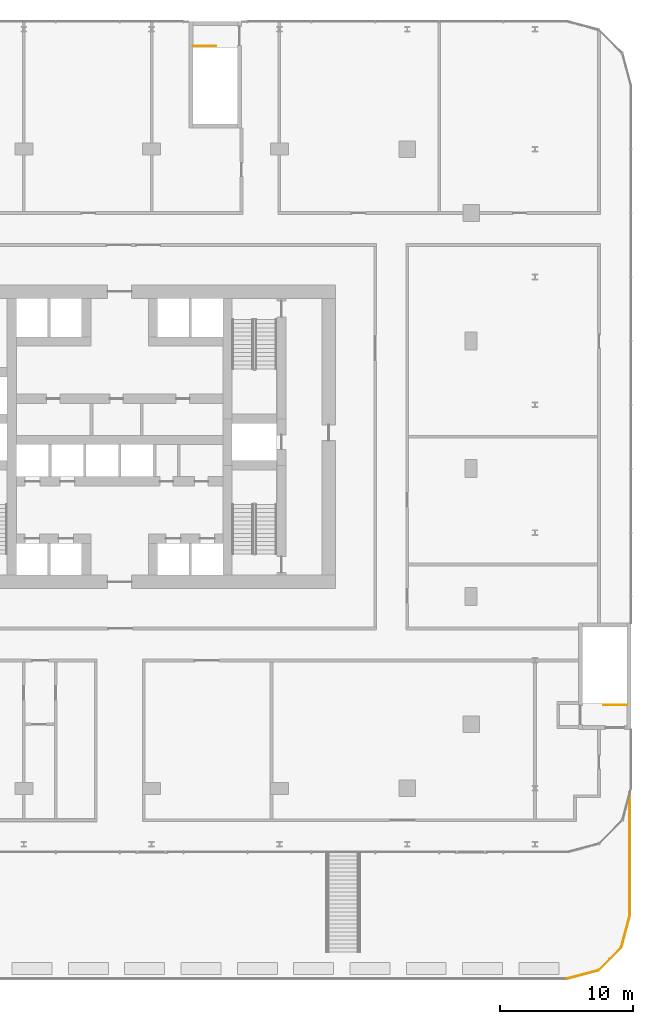
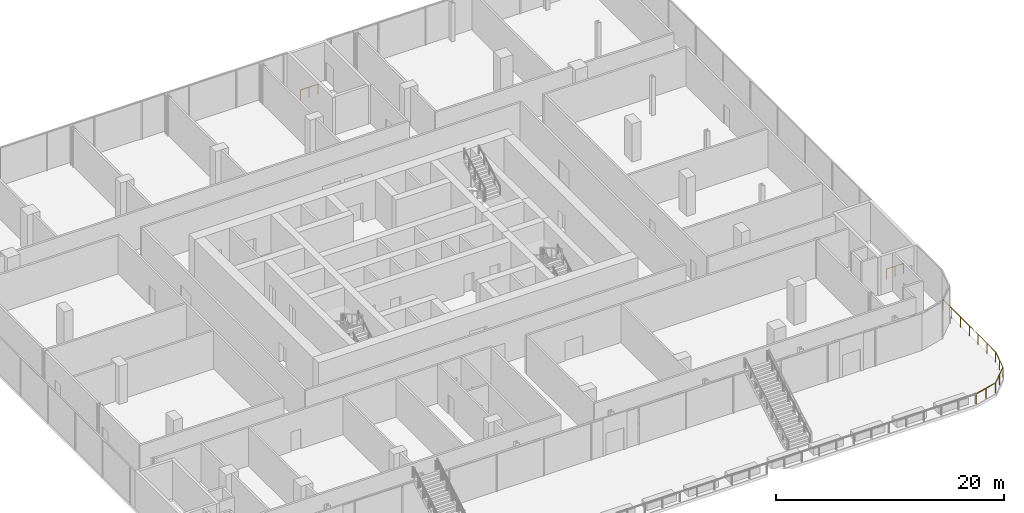
# One storey, part 31 of 32: 3 railings.
"""IFC4 building model written with IfcOpenShell, lengths in metres."""

from ifc_helpers import new_model, si_unit, direction, frame, origin, origin_2d, place, context, subcontext, project, spatial, circle, extrude, material, type_object, element, save


model = new_model("IFC4")

# Units and contexts
model_context = context("Model", 3, precision=1e-05, world=origin(), true_north=direction((0.0, 1.0)))
body_context = subcontext(model_context, "Body", "Model", "MODEL_VIEW")
ifc_project = project(units=[si_unit("LENGTHUNIT", "METRE"), si_unit("AREAUNIT", "SQUARE_METRE"), si_unit("VOLUMEUNIT", "CUBIC_METRE"), si_unit("PLANEANGLEUNIT", "RADIAN"), si_unit("MASSUNIT", "GRAM", prefix="KILO")], contexts=[model_context])

# Site, building, storey
site_placement = place(None, origin())
site = spatial("IfcSite", under=ifc_project, at=site_placement, CompositionType="ELEMENT")
building_placement = place(site_placement, origin())
building = spatial("IfcBuilding", under=site, at=building_placement, Name="Madar Terraces", CompositionType="ELEMENT")
storey_placement = place(building_placement, frame((0.0, 0.0, 19.5)))
storey = spatial("IfcBuildingStorey", under=building, at=storey_placement, Name="L04", CompositionType="ELEMENT", Elevation=19.5)

# Railings
ifc_material_1 = material(Name="Glass, safety glazing, with stainless steel posts", Category="steel")
railing_type_1 = type_object("IfcRailingType", Name="Balcony glass guard 1100", PredefinedType="GUARDRAIL", material=ifc_material_1)
railing_1_placement = place(storey_placement, frame((64.800048828125, -14.300048828125, 0.0400390625)))
element("IfcRailing", 1, at=railing_1_placement, inside=storey, type_object=railing_type_1, Name="Terrace guard", PredefinedType="GUARDRAIL", context=body_context, shape_type="SweptSolid", body=[
    extrude(circle(Radius=0.02392578125, at=origin_2d()), frame((0.0, 0.0, 1.076171875), z_axis=(0.965926101694, 0.258818017275, 0.0), x_axis=(-0.258818017275, 0.965926101694, 0.0)), (0.0, 0.0, 1.0), 2.432861328125),
    extrude(circle(Radius=0.02392578125, at=origin_2d()), frame((2.349853515625, 0.629638671875, 1.076171875), z_axis=(0.707106781187, 0.707106781187, 0.0), x_axis=(-0.707106781187, 0.707106781187, 0.0)), (0.0, 0.0, 1.0), 2.43310546875),
    extrude(circle(Radius=0.02392578125, at=origin_2d()), frame((4.0703125, 2.35009765625, 1.076171875), z_axis=(0.258818017275, 0.965926101694, 0.0), x_axis=(-0.965926101694, 0.258818017275, 0.0)), (0.0, 0.0, 1.0), 2.432861328125),
    extrude(circle(Radius=0.02392578125, at=origin_2d()), frame((4.699951171875, 4.699951171875, 1.076171875), z_axis=(0.0, 1.0, 0.0), x_axis=(-1.0, 0.0, 0.0)), (0.0, 0.0, 1.0), 9.269287109375),
    extrude(circle(Radius=0.02099609375, at=origin_2d()), origin(), (0.0, 0.0, 1.0), 1.052001953125),
    extrude(circle(Radius=0.02099609375, at=origin_2d()), frame((1.1748046875, 0.31494140625, 0.0)), (0.0, 0.0, 1.0), 1.052001953125),
    extrude(circle(Radius=0.02099609375, at=origin_2d()), frame((2.349853515625, 0.629638671875, 0.0)), (0.0, 0.0, 1.0), 1.052001953125),
    extrude(circle(Radius=0.02099609375, at=origin_2d()), frame((3.2099609375, 1.48974609375, 0.0)), (0.0, 0.0, 1.0), 1.052001953125),
    extrude(circle(Radius=0.02099609375, at=origin_2d()), frame((4.0703125, 2.35009765625, 0.0)), (0.0, 0.0, 1.0), 1.052001953125),
    extrude(circle(Radius=0.02099609375, at=origin_2d()), frame((4.38525390625, 3.52490234375, 0.0)), (0.0, 0.0, 1.0), 1.052001953125),
    extrude(circle(Radius=0.02099609375, at=origin_2d()), frame((4.699951171875, 4.699951171875, 0.0)), (0.0, 0.0, 1.0), 1.052001953125),
    extrude(circle(Radius=0.02099609375, at=origin_2d()), frame((4.699951171875, 6.244873046875, 0.0)), (0.0, 0.0, 1.0), 1.052001953125),
    extrude(circle(Radius=0.02099609375, at=origin_2d()), frame((4.699951171875, 7.789794921875, 0.0)), (0.0, 0.0, 1.0), 1.052001953125),
    extrude(circle(Radius=0.02099609375, at=origin_2d()), frame((4.699951171875, 9.33447265625, 0.0)), (0.0, 0.0, 1.0), 1.052001953125),
    extrude(circle(Radius=0.02099609375, at=origin_2d()), frame((4.699951171875, 10.87939453125, 0.0)), (0.0, 0.0, 1.0), 1.052001953125),
    extrude(circle(Radius=0.02099609375, at=origin_2d()), frame((4.699951171875, 12.42431640625, 0.0)), (0.0, 0.0, 1.0), 1.052001953125),
    extrude(circle(Radius=0.02099609375, at=origin_2d()), frame((4.699951171875, 13.96923828125, 0.0)), (0.0, 0.0, 1.0), 1.052001953125),
])
ifc_material_2 = material(Name="Stainless steel railing", Category="steel")
railing_type_2 = type_object("IfcRailingType", Name="Stair guard 1100", PredefinedType="GUARDRAIL", material=ifc_material_2)
railing_2_placement = place(storey_placement, frame((36.699951171875, 55.75, 0.0)))
element("IfcRailing", 2, at=railing_2_placement, inside=storey, type_object=railing_type_2, Name="L04 PS2 top well guard 1", PredefinedType="GUARDRAIL", context=body_context, shape_type="SweptSolid", body=[
    extrude(circle(Radius=0.02392578125, at=origin_2d()), frame((0.0, 0.0, 1.076171875), z_axis=(1.0, 0.0, 0.0), x_axis=(0.0, 1.0, 0.0)), (0.0, 0.0, 1.0), 1.75),
    extrude(circle(Radius=0.02099609375, at=origin_2d()), origin(), (0.0, 0.0, 1.0), 1.052001953125),
    extrude(circle(Radius=0.02099609375, at=origin_2d()), frame((0.875, 0.0, 0.0)), (0.0, 0.0, 1.0), 1.052001953125),
    extrude(circle(Radius=0.02099609375, at=origin_2d()), frame((1.75, 0.0, 0.0)), (0.0, 0.0, 1.0), 1.052001953125),
])
railing_3_placement = place(storey_placement, frame((69.300048828125, 6.25, 0.0)))
element("IfcRailing", 3, at=railing_3_placement, inside=storey, type_object=railing_type_2, Name="L04 PS3 top well guard 1", PredefinedType="GUARDRAIL", context=body_context, shape_type="SweptSolid", body=[
    extrude(circle(Radius=0.02392578125, at=origin_2d()), frame((0.0, 0.0, 1.076171875), z_axis=(-1.0, 0.0, 0.0), x_axis=(0.0, -1.0, 0.0)), (0.0, 0.0, 1.0), 1.75),
    extrude(circle(Radius=0.02099609375, at=origin_2d()), origin(), (0.0, 0.0, 1.0), 1.052001953125),
    extrude(circle(Radius=0.02099609375, at=origin_2d()), frame((-0.875, 0.0, 0.0)), (0.0, 0.0, 1.0), 1.052001953125),
    extrude(circle(Radius=0.02099609375, at=origin_2d()), frame((-1.75, 0.0, 0.0)), (0.0, 0.0, 1.0), 1.052001953125),
])

save(model, "model.ifc")
